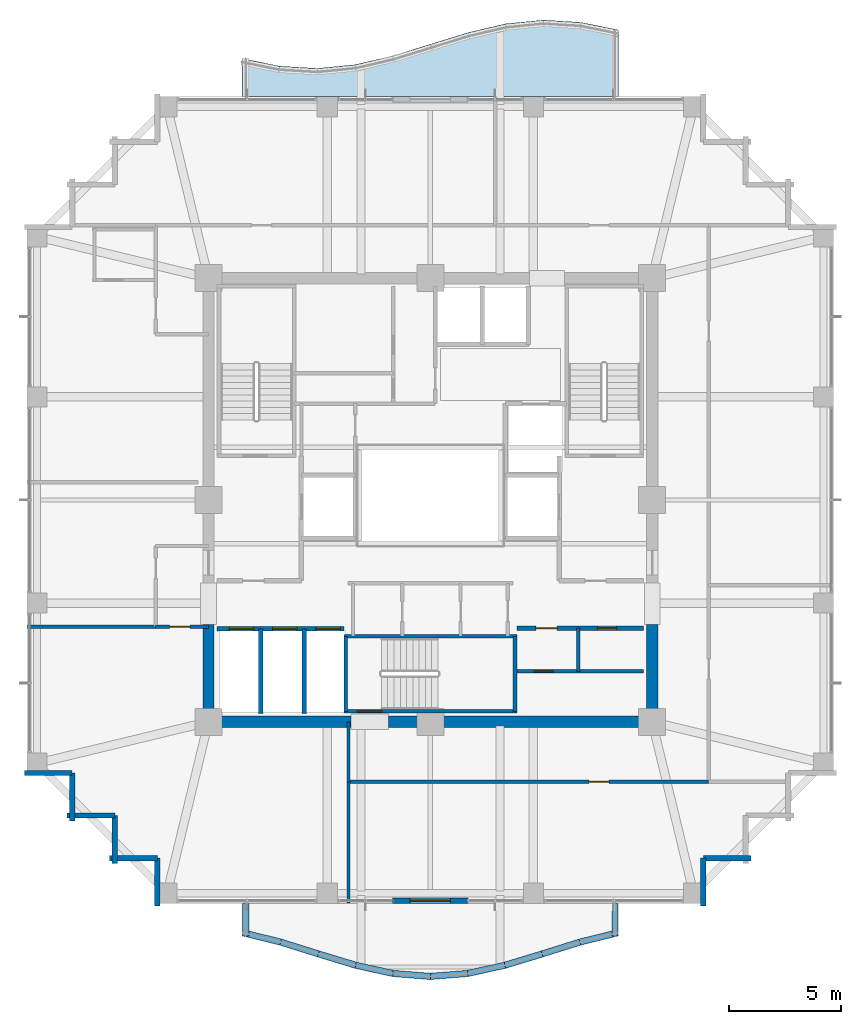
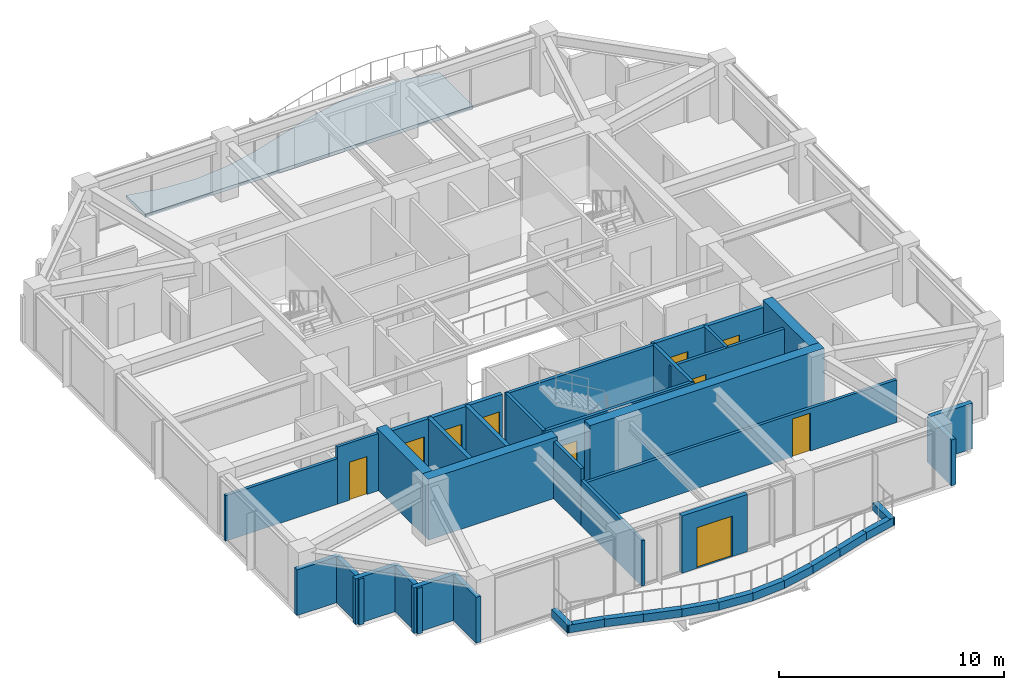
# One storey, part 26 of 31: 40 walls, 10 doors, 1 slab, 10 openings.
"""IFC4 building model written with IfcOpenShell, lengths in metres."""

from ifc_helpers import new_model, si_unit, direction, frame, frame_2d, origin, place, context, subcontext, project, spatial, polyline, rectangle, outline, extrude, material, layer, layer_set, type_object, element, fill, save


model = new_model("IFC4")

# Units and contexts
model_context = context("Model", 3, precision=1e-05, world=origin(), true_north=direction((0.0, 1.0)))
body_context = subcontext(model_context, "Body", "Model", "MODEL_VIEW")
ifc_project = project(units=[si_unit("LENGTHUNIT", "METRE"), si_unit("AREAUNIT", "SQUARE_METRE"), si_unit("VOLUMEUNIT", "CUBIC_METRE"), si_unit("PLANEANGLEUNIT", "RADIAN"), si_unit("MASSUNIT", "GRAM", prefix="KILO")], contexts=[model_context])

# Site, building, storey
site_placement = place(None, origin())
site = spatial("IfcSite", under=ifc_project, at=site_placement, CompositionType="ELEMENT")
building_placement = place(site_placement, origin())
building = spatial("IfcBuilding", under=site, at=building_placement, Name="Kolvaren Belvedere", CompositionType="ELEMENT")
storey_placement = place(building_placement, frame((0.0, 0.0, 138.199951171875)))
storey = spatial("IfcBuildingStorey", under=building, at=storey_placement, Name="L40", CompositionType="ELEMENT", Elevation=138.199951171875)

# Slab
ifc_material_1 = material(Name="Concrete C50/60", Category="concrete")
ifc_layer_1 = layer(ifc_material_1, 0.179931640625)
ifc_layer_set_1 = layer_set([ifc_layer_1], Name="Concrete C50/60")
slab_type = type_object("IfcSlabType", Name="SL-BAL-180", PredefinedType="FLOOR", material=ifc_layer_set_1)
slab_placement = place(storey_placement, frame((0.0, 0.0, -0.199951171875)))
element("IfcSlab", 1, at=slab_placement, inside=storey, type_object=slab_type, Name="L40 Planted Balcony BAL-N", PredefinedType="FLOOR", context=body_context, shape_type="SweptSolid", body=[
    extrude(outline(polyline([(-8.39990234375, 18.0), (-6.719970703125, 18.0), (-5.0400390625, 18.0), (-3.360107421875, 18.0), (-1.679931640625, 18.0), (0.0, 18.0), (1.679931640625, 18.0), (3.360107421875, 18.0), (5.0400390625, 18.0), (6.719970703125, 18.0), (8.39990234375, 18.0), (8.39990234375, 20.974853515625), (6.719970703125, 21.317138671875), (5.0400390625, 21.419921875), (3.360107421875, 21.251953125), (1.679931640625, 20.8603515625), (0.0, 20.340087890625), (-1.679931640625, 19.819580078125), (-3.360107421875, 19.427978515625), (-5.0400390625, 19.26220703125), (-6.719970703125, 19.36279296875), (-8.39990234375, 19.705078125), (-8.39990234375, 18.0)])), origin(), (0.0, 0.0, 1.0), 0.179931640625),
])

# Walls
ifc_material_2 = material(Name="Concrete C50/60", Category="concrete")
ifc_layer_2 = layer(ifc_material_2, 0.5)
ifc_layer_set_2 = layer_set([ifc_layer_2], Name="Concrete C50/60")
wall_type_1 = type_object("IfcWallType", Name="CW-CORE-500", PredefinedType="SHEAR", material=ifc_layer_set_2)
wall_1_placement = place(storey_placement, frame((10.14990234375, -9.89990234375, 0.0), z_axis=(0.0, 0.0, 1.0), x_axis=(-1.0, 0.0, 0.0)))
element("IfcWall", 2, at=wall_1_placement, inside=storey, type_object=wall_type_1, Name="L40 South Core Shear Wall 1", PredefinedType="SHEAR", context=body_context, shape_type="SweptSolid", body=[
    extrude(rectangle(XDim=12.010009765625, YDim=0.5, at=frame_2d((6.0048828125, 0.0))), origin(), (0.0, 0.0, 1.0), 3.300048828125),
])
wall_2_placement = place(storey_placement, frame((-3.5400390625, -9.89990234375, 0.0), z_axis=(0.0, 0.0, 1.0), x_axis=(-1.0, 0.0, 0.0)))
element("IfcWall", 3, at=wall_2_placement, inside=storey, type_object=wall_type_1, Name="L40 South Core Shear Wall 2", PredefinedType="SHEAR", context=body_context, shape_type="SweptSolid", body=[
    extrude(rectangle(XDim=6.60986328125, YDim=0.5, at=frame_2d((3.304931640625, 0.0))), origin(), (0.0, 0.0, 1.0), 3.300048828125),
])
for number, where, z_axis, x_axis, name in (
    (4, (-9.89990234375, -9.64990234375, 0.0), (0.0, 0.0, 1.0), (0.0, 1.0, 0.0), "L40 West Core Shear Wall 1"),
    (5, (9.89990234375, -9.64990234375, 0.0), (0.0, 0.0, 1.0), (0.0, 1.0, 0.0), "L40 East Core Shear Wall 1"),
):
    element("IfcWall", number, at=place(storey_placement, frame(where, z_axis=z_axis, x_axis=x_axis)), inside=storey, type_object=wall_type_1, Name=name, PredefinedType="SHEAR", context=body_context, shape_type="SweptSolid", body=[
        extrude(rectangle(XDim=4.099853515625, YDim=0.5, at=frame_2d((2.0498046875, 0.0))), origin(), (0.0, 0.0, 1.0), 3.300048828125),
    ])

# Wall, opening, door
ifc_material_3 = material(Name="Concrete C50/60", Category="concrete")
ifc_layer_3 = layer(ifc_material_3, 0.159912109375)
ifc_layer_set_3 = layer_set([ifc_layer_3], Name="Concrete C50/60")
wall_type_2 = type_object("IfcWallType", Name="CW-STAIR-160", PredefinedType="SHEAR", material=ifc_layer_set_3)
wall_3_placement = place(storey_placement, frame((3.860107421875, -9.429931640625, 0.0), z_axis=(0.0, 0.0, 1.0), x_axis=(-1.0, 0.0, 0.0)))
wall_3 = element("IfcWall", 6, at=wall_3_placement, inside=storey, type_object=wall_type_2, Name="L40 Stair ST-3 South Shear Wall", PredefinedType="SHEAR", context=body_context, shape_type="SweptSolid", body=[
    extrude(rectangle(XDim=7.72021484375, YDim=0.159912109375, at=frame_2d((3.860107421875, 0.0))), origin(), (0.0, 0.0, 1.0), 3.300048828125),
])
opening_1_placement = place(wall_3_placement, frame((6.010009765625, 0.0, 0.0)))
opening_1 = element("IfcOpeningElement", 7, at=opening_1_placement, cuts=wall_3, Name="Opening D-FD90", PredefinedType="OPENING", context=body_context, shape_type="SweptSolid", body=[
    extrude(rectangle(XDim=1.10009765625, YDim=2.199951171875, at=frame_2d((0.550048828125, 1.10009765625))), frame((0.0, 0.08984375, 0.0), z_axis=(0.0, -1.0, 0.0), x_axis=(1.0, 0.0, 0.0)), (0.0, 0.0, 1.0), 0.179931640625),
])
ifc_material_4 = material(Name="Painted hollow stainless steel", Category="steel")
door_type_1 = type_object("IfcDoorType", Name="DR-FD90-1100", OperationType="NOTDEFINED", PredefinedType="DOOR", material=ifc_material_4)
door_1_placement = place(opening_1_placement, origin())
door_1 = element("IfcDoor", 8, at=door_1_placement, inside=storey, type_object=door_type_1, Name="L40 Stair ST-3 Exit Door", OperationType="SINGLE_SWING_RIGHT", OverallHeight=2.199951171875, OverallWidth=1.10009765625, PredefinedType="DOOR", context=body_context, shape_type="SweptSolid", body=[
    extrude(rectangle(XDim=1.10009765625, YDim=2.199951171875, at=frame_2d((0.550048828125, 1.10009765625))), frame((0.0, 0.02490234375, 0.0), z_axis=(0.0, -1.0, 0.0), x_axis=(1.0, 0.0, 0.0)), (0.0, 0.0, 1.0), 0.050048828125),
])
fill(opening_1, door_1)

# Walls
wall_4_placement = place(storey_placement, frame((-3.860107421875, -6.080078125, 0.0), z_axis=(0.0, 0.0, 1.0), x_axis=(1.0, 0.0, 0.0)))
element("IfcWall", 9, at=wall_4_placement, inside=storey, type_object=wall_type_2, Name="L40 Stair ST-3 North Shear Wall", PredefinedType="SHEAR", context=body_context, shape_type="SweptSolid", body=[
    extrude(rectangle(XDim=7.72021484375, YDim=0.159912109375, at=frame_2d((3.860107421875, 0.0))), origin(), (0.0, 0.0, 1.0), 3.300048828125),
])
for number, where, z_axis, x_axis, name in (
    (10, (-3.780029296875, -9.429931640625, 0.0), (0.0, 0.0, 1.0), (0.0, 1.0, 0.0), "L40 Stair ST-3 West Shear Wall"),
    (11, (3.780029296875, -9.429931640625, 0.0), (0.0, 0.0, 1.0), (0.0, 1.0, 0.0), "L40 Stair ST-3 East Shear Wall"),
):
    element("IfcWall", number, at=place(storey_placement, frame(where, z_axis=z_axis, x_axis=x_axis)), inside=storey, type_object=wall_type_2, Name=name, PredefinedType="SHEAR", context=body_context, shape_type="SweptSolid", body=[
        extrude(rectangle(XDim=3.349853515625, YDim=0.159912109375, at=frame_2d((1.6748046875, 0.0))), origin(), (0.0, 0.0, 1.0), 3.300048828125),
    ])

# Wall, opening, door
ifc_material_5 = material(Name="Gypsum fire-rated partition assembly", Category="gypsum")
ifc_layer_4 = layer(ifc_material_5, 0.14990234375)
ifc_layer_set_4 = layer_set([ifc_layer_4], Name="Gypsum fire-rated partition assembly")
wall_type_3 = type_object("IfcWallType", Name="WL-CORR-150", PredefinedType="PARTITIONING", material=ifc_layer_set_4)
wall_5_placement = place(storey_placement, frame((-3.64990234375, -12.580078125, 0.0), z_axis=(0.0, 0.0, 1.0), x_axis=(1.0, 0.0, 0.0)))
wall_5 = element("IfcWall", 12, at=wall_5_placement, inside=storey, type_object=wall_type_3, Name="L40 South-East Corridor Wall", PredefinedType="PARTITIONING", context=body_context, shape_type="SweptSolid", body=[
    extrude(rectangle(XDim=16.06982421875, YDim=0.14990234375, at=frame_2d((8.034912109375, 0.0))), origin(), (0.0, 0.0, 1.0), 2.31201171875),
])
opening_2_placement = place(wall_5_placement, frame((10.735107421875, 0.0, 0.0)))
opening_2 = element("IfcOpeningElement", 13, at=opening_2_placement, cuts=wall_5, Name="Opening D-INT90", PredefinedType="OPENING", context=body_context, shape_type="SweptSolid", body=[
    extrude(rectangle(XDim=0.89990234375, YDim=2.06005859375, at=frame_2d((0.449951171875, 1.030029296875))), frame((0.0, 0.0849609375, 0.0), z_axis=(0.0, -1.0, 0.0), x_axis=(1.0, 0.0, 0.0)), (0.0, 0.0, 1.0), 0.169921875),
])
ifc_material_6 = material(Name="Stained Pacific white oak", Category="timber")
door_type_2 = type_object("IfcDoorType", Name="DR-INT-900", OperationType="NOTDEFINED", PredefinedType="DOOR", material=ifc_material_6)
door_2_placement = place(opening_2_placement, origin())
door_2 = element("IfcDoor", 14, at=door_2_placement, inside=storey, type_object=door_type_2, Name="L40 Lounge 4008 Door", OperationType="SINGLE_SWING_LEFT", OverallHeight=2.06005859375, OverallWidth=0.89990234375, PredefinedType="DOOR", context=body_context, shape_type="SweptSolid", body=[
    extrude(rectangle(XDim=0.89990234375, YDim=2.06005859375, at=frame_2d((0.449951171875, 1.030029296875))), frame((0.0, 0.02490234375, 0.0), z_axis=(0.0, -1.0, 0.0), x_axis=(1.0, 0.0, 0.0)), (0.0, 0.0, 1.0), 0.050048828125),
])
fill(opening_2, door_2)

# Wall
wall_6_placement = place(storey_placement, frame((-3.64990234375, -12.580078125, 0.0), z_axis=(0.0, 0.0, 1.0), x_axis=(0.0, 1.0, 0.0)))
element("IfcWall", 15, at=wall_6_placement, inside=storey, type_object=wall_type_3, Name="L40 South Spur West Closure Wall", PredefinedType="PARTITIONING", context=body_context, shape_type="SweptSolid", body=[
    extrude(rectangle(XDim=2.68017578125, YDim=0.14990234375, at=frame_2d((1.340087890625, 0.0))), origin(), (0.0, 0.0, 1.0), 3.10009765625),
])

# Wall, opening, door
wall_7_placement = place(storey_placement, frame((-12.260009765625, -5.64990234375, 0.0), z_axis=(0.0, 0.0, 1.0), x_axis=(1.0, 0.0, 0.0)))
wall_7 = element("IfcWall", 16, at=wall_7_placement, inside=storey, type_object=wall_type_3, Name="L40 West Pocket South Closure Wall", PredefinedType="PARTITIONING", context=body_context, shape_type="SweptSolid", body=[
    extrude(rectangle(XDim=2.360107421875, YDim=0.14990234375, at=frame_2d((1.18017578125, 0.0))), origin(), (0.0, 0.0, 1.0), 3.10009765625),
])
opening_3_placement = place(wall_7_placement, frame((0.631591796875, 0.0, 0.0)))
opening_3 = element("IfcOpeningElement", 17, at=opening_3_placement, cuts=wall_7, Name="Opening D-INT90", PredefinedType="OPENING", context=body_context, shape_type="SweptSolid", body=[
    extrude(rectangle(XDim=0.89990234375, YDim=2.06005859375, at=frame_2d((0.449951171875, 1.030029296875))), frame((0.0, 0.0849609375, 0.0), z_axis=(0.0, -1.0, 0.0), x_axis=(1.0, 0.0, 0.0)), (0.0, 0.0, 1.0), 0.169921875),
])
door_3_placement = place(opening_3_placement, origin())
door_3 = element("IfcDoor", 18, at=door_3_placement, inside=storey, type_object=door_type_2, Name="L40 Lounge 4007 Door", OperationType="SINGLE_SWING_RIGHT", OverallHeight=2.06005859375, OverallWidth=0.89990234375, PredefinedType="DOOR", context=body_context, shape_type="SweptSolid", body=[
    extrude(rectangle(XDim=0.89990234375, YDim=2.06005859375, at=frame_2d((0.449951171875, 1.030029296875))), frame((0.0, 0.02490234375, 0.0), z_axis=(0.0, -1.0, 0.0), x_axis=(1.0, 0.0, 0.0)), (0.0, 0.0, 1.0), 0.050048828125),
])
fill(opening_3, door_3)

ifc_material_7 = material(Name="Insulated pale-metal facade wall assembly", Category="aluminium")
ifc_layer_5 = layer(ifc_material_7, 0.239990234375)
ifc_layer_set_5 = layer_set([ifc_layer_5], Name="Insulated pale-metal facade wall assembly")
wall_type_4 = type_object("IfcWallType", Name="WL-EXT-240", PredefinedType="STANDARD", material=ifc_layer_set_5)
wall_8_placement = place(storey_placement, frame((1.679931640625, -17.8798828125, 0.0), z_axis=(0.0, 0.0, 1.0), x_axis=(-1.0, 0.0, 0.0)))
wall_8 = element("IfcWall", 19, at=wall_8_placement, inside=storey, type_object=wall_type_4, Name="L40 South Terrace Portal Wall", PredefinedType="STANDARD", context=body_context, shape_type="SweptSolid", body=[
    extrude(rectangle(XDim=3.35986328125, YDim=0.239990234375, at=frame_2d((1.679931640625, 0.0))), origin(), (0.0, 0.0, 1.0), 3.10009765625),
])
opening_4_placement = place(wall_8_placement, frame((0.780029296875, 0.0, 0.0)))
opening_4 = element("IfcOpeningElement", 20, at=opening_4_placement, cuts=wall_8, Name="Opening DB-1800", PredefinedType="OPENING", context=body_context, shape_type="SweptSolid", body=[
    extrude(rectangle(XDim=1.800048828125, YDim=2.199951171875, at=frame_2d((0.89990234375, 1.10009765625))), frame((0.0, 0.1298828125, 0.0), z_axis=(0.0, -1.0, 0.0), x_axis=(1.0, 0.0, 0.0)), (0.0, 0.0, 1.0), 0.260009765625),
])
ifc_material_8 = material(Name="Thermally broken pale-metal aluminium & low-iron glass", Category="aluminium")
door_type_3 = type_object("IfcDoorType", Name="DR-BAL-1800", OperationType="DOUBLE_DOOR_SLIDING", PredefinedType="DOOR", material=ifc_material_8)
door_4_placement = place(opening_4_placement, origin())
door_4 = element("IfcDoor", 21, at=door_4_placement, inside=storey, type_object=door_type_3, Name="L40 South Planted Terrace Sliding Door", OperationType="DOUBLE_DOOR_SLIDING", OverallHeight=2.199951171875, OverallWidth=1.800048828125, PredefinedType="DOOR", context=body_context, shape_type="SweptSolid", body=[
    extrude(rectangle(XDim=1.800048828125, YDim=2.199951171875, at=frame_2d((0.89990234375, 1.10009765625))), frame((0.0, 0.02490234375, 0.0), z_axis=(0.0, -1.0, 0.0), x_axis=(1.0, 0.0, 0.0)), (0.0, 0.0, 1.0), 0.050048828125),
])
fill(opening_4, door_4)

# Walls
for number, where, z_axis, x_axis, name in (
    (22, (12.179931640625, -15.97998046875, 0.0), (0.0, 0.0, 1.0), (0.0, -1.0, 0.0), "L40 Serrated Corner Facade Wall 2"),
    (23, (14.320068359375, -15.97998046875, 0.0), (0.0, 0.0, 1.0), (-1.0, 0.0, 0.0), "L40 Serrated Corner Facade Wall 3"),
    (24, (-15.97998046875, -12.179931640625, 0.0), (0.0, 0.0, 1.0), (-1.0, 0.0, 0.0), "L40 Serrated Corner Facade Wall 23"),
    (25, (-15.97998046875, -14.320068359375, 0.0), (0.0, 0.0, 1.0), (0.0, 1.0, 0.0), "L40 Serrated Corner Facade Wall 24"),
):
    element("IfcWall", number, at=place(storey_placement, frame(where, z_axis=z_axis, x_axis=x_axis)), inside=storey, type_object=wall_type_4, Name=name, PredefinedType="STANDARD", context=body_context, shape_type="SweptSolid", body=[
        extrude(rectangle(XDim=2.14013671875, YDim=0.239990234375, at=frame_2d((1.070068359375, 0.0))), origin(), (0.0, 0.0, 1.0), 2.47900390625),
    ])
for number, where, z_axis, x_axis, name in (
    (26, (-14.080078125, -14.080078125, 0.0), (0.0, 0.0, 1.0), (-1.0, 0.0, 0.0), "L40 Serrated Corner Facade Wall 25"),
    (27, (-14.080078125, -16.219970703125, 0.0), (0.0, 0.0, 1.0), (0.0, 1.0, 0.0), "L40 Serrated Corner Facade Wall 26"),
):
    element("IfcWall", number, at=place(storey_placement, frame(where, z_axis=z_axis, x_axis=x_axis)), inside=storey, type_object=wall_type_4, Name=name, PredefinedType="STANDARD", context=body_context, shape_type="SweptSolid", body=[
        extrude(rectangle(XDim=2.139892578125, YDim=0.239990234375, at=frame_2d((1.06982421875, 0.0))), origin(), (0.0, 0.0, 1.0), 2.47900390625),
    ])
for number, where, z_axis, x_axis, name in (
    (28, (-12.179931640625, -15.97998046875, 0.0), (0.0, 0.0, 1.0), (-1.0, 0.0, 0.0), "L40 Serrated Corner Facade Wall 27"),
    (29, (-12.179931640625, -18.1201171875, 0.0), (0.0, 0.0, 1.0), (0.0, 1.0, 0.0), "L40 Serrated Corner Facade Wall 28"),
):
    element("IfcWall", number, at=place(storey_placement, frame(where, z_axis=z_axis, x_axis=x_axis)), inside=storey, type_object=wall_type_4, Name=name, PredefinedType="STANDARD", context=body_context, shape_type="SweptSolid", body=[
        extrude(rectangle(XDim=2.14013671875, YDim=0.239990234375, at=frame_2d((1.070068359375, 0.0))), origin(), (0.0, 0.0, 1.0), 2.47900390625),
    ])

# Wall, opening, door
ifc_material_9 = material(Name="Gypsum acoustic partition assembly", Category="gypsum")
ifc_layer_6 = layer(ifc_material_9, 0.14990234375)
ifc_layer_set_6 = layer_set([ifc_layer_6], Name="Gypsum acoustic partition assembly")
wall_type_5 = type_object("IfcWallType", Name="WL-PART-150", PredefinedType="PARTITIONING", material=ifc_layer_set_6)
wall_9_placement = place(storey_placement, frame((3.679931640625, -7.64990234375, 0.0), z_axis=(0.0, 0.0, 1.0), x_axis=(1.0, 0.0, 0.0)))
wall_9 = element("IfcWall", 30, at=wall_9_placement, inside=storey, type_object=wall_type_5, Name="L40 SE Core H-Divider", PredefinedType="PARTITIONING", context=body_context, shape_type="SweptSolid", body=[
    extrude(rectangle(XDim=5.840087890625, YDim=0.14990234375, at=frame_2d((2.919921875, 0.0))), origin(), (0.0, 0.0, 1.0), 3.10009765625),
])
opening_5_placement = place(wall_9_placement, frame((0.949951171875, 0.0, 0.0)))
opening_5 = element("IfcOpeningElement", 31, at=opening_5_placement, cuts=wall_9, Name="Opening D-INT85", PredefinedType="OPENING", context=body_context, shape_type="SweptSolid", body=[
    extrude(rectangle(XDim=0.85009765625, YDim=2.030029296875, at=frame_2d((0.425048828125, 1.01513671875))), frame((0.0, 0.0849609375, 0.0), z_axis=(0.0, -1.0, 0.0), x_axis=(1.0, 0.0, 0.0)), (0.0, 0.0, 1.0), 0.169921875),
])
ifc_material_10 = material(Name="Stained Pacific white oak", Category="timber")
door_type_4 = type_object("IfcDoorType", Name="DR-INT-850", OperationType="NOTDEFINED", PredefinedType="DOOR", material=ifc_material_10)
door_5_placement = place(opening_5_placement, origin())
door_5 = element("IfcDoor", 32, at=door_5_placement, inside=storey, type_object=door_type_4, Name="L40 SE Fibre Door", OperationType="SINGLE_SWING_RIGHT", OverallHeight=2.030029296875, OverallWidth=0.85009765625, PredefinedType="DOOR", context=body_context, shape_type="SweptSolid", body=[
    extrude(rectangle(XDim=0.85009765625, YDim=2.030029296875, at=frame_2d((0.425048828125, 1.01513671875))), frame((0.0, 0.02490234375, 0.0), z_axis=(0.0, -1.0, 0.0), x_axis=(1.0, 0.0, 0.0)), (0.0, 0.0, 1.0), 0.050048828125),
])
fill(opening_5, door_5)

# Walls
wall_10_placement = place(storey_placement, frame((6.60009765625, -7.64990234375, 0.0), z_axis=(0.0, 0.0, 1.0), x_axis=(0.0, 1.0, 0.0)))
element("IfcWall", 33, at=wall_10_placement, inside=storey, type_object=wall_type_5, Name="L40 SE Core V-Divider", PredefinedType="PARTITIONING", context=body_context, shape_type="SweptSolid", body=[
    extrude(rectangle(XDim=1.929931640625, YDim=0.14990234375, at=frame_2d((0.96484375, 0.0))), origin(), (0.0, 0.0, 1.0), 3.10009765625),
])
wall_11_placement = place(storey_placement, frame((-17.97998046875, -5.64990234375, 0.0), z_axis=(0.0, 0.0, 1.0), x_axis=(1.0, 0.0, 0.0)))
element("IfcWall", 34, at=wall_11_placement, inside=storey, type_object=wall_type_5, Name="L40 West Mid Suite South Wall", PredefinedType="PARTITIONING", context=body_context, shape_type="SweptSolid", body=[
    extrude(rectangle(XDim=5.719970703125, YDim=0.14990234375, at=frame_2d((2.85986328125, 0.0))), origin(), (0.0, 0.0, 1.0), 2.468994140625),
])
wall_12_placement = place(storey_placement, frame((-3.64990234375, -17.97998046875, 0.0), z_axis=(0.0, 0.0, 1.0), x_axis=(0.0, 1.0, 0.0)))
element("IfcWall", 35, at=wall_12_placement, inside=storey, type_object=wall_type_5, Name="L40 South Mid-West Wall", PredefinedType="PARTITIONING", context=body_context, shape_type="SweptSolid", body=[
    extrude(rectangle(XDim=5.39990234375, YDim=0.14990234375, at=frame_2d((2.699951171875, 0.0))), origin(), (0.0, 0.0, 1.0), 2.468994140625),
])
ifc_material_11 = material(Name="Precast concrete C40/50", Category="concrete")
ifc_layer_7 = layer(ifc_material_11, 0.300048828125)
ifc_layer_set_7 = layer_set([ifc_layer_7], Name="Precast concrete C40/50")
wall_type_6 = type_object("IfcWallType", Name="WL-PLANTER-300", PredefinedType="PARAPET", material=ifc_layer_set_7)
wall_13_placement = place(storey_placement, frame((-8.36181640625, -19.310791015625, -0.02001953125), z_axis=(0.0, 0.0, 1.0), x_axis=(0.970950361768, -0.239280995867, 0.0)))
element("IfcWall", 36, at=wall_13_placement, inside=storey, type_object=wall_type_6, Name="L40 Precast Structural Planter Wall BAL-S-1", PredefinedType="PARAPET", context=body_context, shape_type="SweptSolid", body=[
    extrude(rectangle(XDim=1.73046875, YDim=0.280029296875, at=frame_2d((0.865234375, 0.0))), origin(), (0.0, 0.0, 1.0), 0.420166015625),
])
wall_14_placement = place(storey_placement, frame((-6.672119140625, -19.7275390625, -0.02001953125), z_axis=(0.0, 0.0, 1.0), x_axis=(0.954057149461, -0.299624691176, 0.0)))
element("IfcWall", 37, at=wall_14_placement, inside=storey, type_object=wall_type_6, Name="L40 Precast Structural Planter Wall BAL-S-2", PredefinedType="PARAPET", context=body_context, shape_type="SweptSolid", body=[
    extrude(rectangle(XDim=1.7607421875, YDim=0.280029296875, at=frame_2d((0.88037109375, 0.0))), origin(), (0.0, 0.0, 1.0), 0.420166015625),
])
wall_15_placement = place(storey_placement, frame((-4.993408203125, -20.254638671875, -0.02001953125), z_axis=(0.0, 0.0, 1.0), x_axis=(0.956721015747, -0.291006697567, 0.0)))
element("IfcWall", 38, at=wall_15_placement, inside=storey, type_object=wall_type_6, Name="L40 Precast Structural Planter Wall BAL-S-3", PredefinedType="PARAPET", context=body_context, shape_type="SweptSolid", body=[
    extrude(rectangle(XDim=1.755859375, YDim=0.280029296875, at=frame_2d((0.8779296875, 0.0))), origin(), (0.0, 0.0, 1.0), 0.420166015625),
])
wall_16_placement = place(storey_placement, frame((-3.32568359375, -20.762451171875, -0.02001953125), z_axis=(0.0, 0.0, 1.0), x_axis=(0.976876857632, -0.213802724545, 0.0)))
element("IfcWall", 39, at=wall_16_placement, inside=storey, type_object=wall_type_6, Name="L40 Precast Structural Planter Wall BAL-S-4", PredefinedType="PARAPET", context=body_context, shape_type="SweptSolid", body=[
    extrude(rectangle(XDim=1.7197265625, YDim=0.280029296875, at=frame_2d((0.85986328125, 0.0))), origin(), (0.0, 0.0, 1.0), 0.420166015625),
])
for number, where, z_axis, x_axis, name in (
    (40, (-1.667236328125, -21.126953125, -0.02001953125), (0.0, 0.0, 1.0), (0.99685522818, -0.079244268248, 0.0), "L40 Precast Structural Planter Wall BAL-S-5"),
    (41, (-0.0126953125, -21.260498046875, -0.02001953125), (0.0, 0.0, 1.0), (0.99685522818, 0.079244268248, 0.0), "L40 Precast Structural Planter Wall BAL-S-6"),
):
    element("IfcWall", number, at=place(storey_placement, frame(where, z_axis=z_axis, x_axis=x_axis)), inside=storey, type_object=wall_type_6, Name=name, PredefinedType="PARAPET", context=body_context, shape_type="SweptSolid", body=[
        extrude(rectangle(XDim=1.685302734375, YDim=0.280029296875, at=frame_2d((0.8427734375, 0.0))), origin(), (0.0, 0.0, 1.0), 0.420166015625),
    ])
wall_17_placement = place(storey_placement, frame((1.645751953125, -21.130126953125, -0.02001953125), z_axis=(0.0, 0.0, 1.0), x_axis=(0.976876857632, 0.213802724545, 0.0)))
element("IfcWall", 42, at=wall_17_placement, inside=storey, type_object=wall_type_6, Name="L40 Precast Structural Planter Wall BAL-S-7", PredefinedType="PARAPET", context=body_context, shape_type="SweptSolid", body=[
    extrude(rectangle(XDim=1.7197265625, YDim=0.280029296875, at=frame_2d((0.85986328125, 0.0))), origin(), (0.0, 0.0, 1.0), 0.420166015625),
])
wall_18_placement = place(storey_placement, frame((3.3134765625, -20.765625, -0.02001953125), z_axis=(0.0, 0.0, 1.0), x_axis=(0.956721015747, 0.291006697567, 0.0)))
element("IfcWall", 43, at=wall_18_placement, inside=storey, type_object=wall_type_6, Name="L40 Precast Structural Planter Wall BAL-S-8", PredefinedType="PARAPET", context=body_context, shape_type="SweptSolid", body=[
    extrude(rectangle(XDim=1.755859375, YDim=0.280029296875, at=frame_2d((0.8779296875, 0.0))), origin(), (0.0, 0.0, 1.0), 0.420166015625),
])
wall_19_placement = place(storey_placement, frame((4.9921875, -20.255126953125, -0.02001953125), z_axis=(0.0, 0.0, 1.0), x_axis=(0.954057149461, 0.299624691176, 0.0)))
element("IfcWall", 44, at=wall_19_placement, inside=storey, type_object=wall_type_6, Name="L40 Precast Structural Planter Wall BAL-S-9", PredefinedType="PARAPET", context=body_context, shape_type="SweptSolid", body=[
    extrude(rectangle(XDim=1.7607421875, YDim=0.280029296875, at=frame_2d((0.88037109375, 0.0))), origin(), (0.0, 0.0, 1.0), 0.420166015625),
])
wall_20_placement = place(storey_placement, frame((6.681640625, -19.724853515625, -0.02001953125), z_axis=(0.0, 0.0, 1.0), x_axis=(0.970950361768, 0.239280995867, 0.0)))
element("IfcWall", 45, at=wall_20_placement, inside=storey, type_object=wall_type_6, Name="L40 Precast Structural Planter Wall BAL-S-10", PredefinedType="PARAPET", context=body_context, shape_type="SweptSolid", body=[
    extrude(rectangle(XDim=1.73046875, YDim=0.280029296875, at=frame_2d((0.865234375, 0.0))), origin(), (0.0, 0.0, 1.0), 0.420166015625),
])
for number, where, z_axis, x_axis, name in (
    (46, (8.239990234375, -19.46630859375, -0.02001953125), (0.0, 0.0, 1.0), (0.0, 1.0, 0.0), "L40 Precast Structural Planter Wall BAL-S-11"),
    (47, (-8.239990234375, -18.0, -0.02001953125), (0.0, 0.0, 1.0), (0.0, -1.0, 0.0), "L40 Precast Structural Planter Wall BAL-S-22"),
):
    element("IfcWall", number, at=place(storey_placement, frame(where, z_axis=z_axis, x_axis=x_axis)), inside=storey, type_object=wall_type_6, Name=name, PredefinedType="PARAPET", context=body_context, shape_type="SweptSolid", body=[
        extrude(rectangle(XDim=1.46630859375, YDim=0.280029296875, at=frame_2d((0.733154296875, 0.0))), origin(), (0.0, 0.0, 1.0), 0.420166015625),
    ])

# Wall, openings, doors
ifc_material_12 = material(Name="Concrete C50/60", Category="concrete")
ifc_layer_8 = layer(ifc_material_12, 0.199951171875)
ifc_layer_set_8 = layer_set([ifc_layer_8], Name="Concrete C50/60")
wall_type_7 = type_object("IfcWallType", Name="WL-SHAFT-200", PredefinedType="SOLIDWALL", material=ifc_layer_set_8)
wall_21_placement = place(storey_placement, frame((-9.52001953125, -5.75, 0.0), z_axis=(0.0, 0.0, 1.0), x_axis=(1.0, 0.0, 0.0)))
wall_21 = element("IfcWall", 48, at=wall_21_placement, inside=storey, type_object=wall_type_7, Name="L40 Mid-Rise Lift Bank Front Wall", PredefinedType="SOLIDWALL", context=body_context, shape_type="SweptSolid", body=[
    extrude(rectangle(XDim=5.659912109375, YDim=0.199951171875, at=frame_2d((2.830078125, 0.0))), origin(), (0.0, 0.0, 1.0), 3.10009765625),
])
opening_6_placement = place(wall_21_placement, frame((0.550048828125, 0.0, 0.0)))
opening_6 = element("IfcOpeningElement", 49, at=opening_6_placement, cuts=wall_21, Name="Opening LD-11", PredefinedType="OPENING", context=body_context, shape_type="SweptSolid", body=[
    extrude(rectangle(XDim=1.10009765625, YDim=2.199951171875, at=frame_2d((0.550048828125, 1.10009765625))), frame((0.0, 0.10986328125, 0.0), z_axis=(0.0, -1.0, 0.0), x_axis=(1.0, 0.0, 0.0)), (0.0, 0.0, 1.0), 0.219970703125),
])
opening_7_placement = place(wall_21_placement, frame((2.47998046875, 0.0, 0.0)))
opening_7 = element("IfcOpeningElement", 50, at=opening_7_placement, cuts=wall_21, Name="Opening LD-11", PredefinedType="OPENING", context=body_context, shape_type="SweptSolid", body=[
    extrude(rectangle(XDim=1.10009765625, YDim=2.199951171875, at=frame_2d((0.550048828125, 1.10009765625))), frame((0.0, 0.10986328125, 0.0), z_axis=(0.0, -1.0, 0.0), x_axis=(1.0, 0.0, 0.0)), (0.0, 0.0, 1.0), 0.219970703125),
])
opening_8_placement = place(wall_21_placement, frame((4.409912109375, 0.0, 0.0)))
opening_8 = element("IfcOpeningElement", 51, at=opening_8_placement, cuts=wall_21, Name="Opening LD-11", PredefinedType="OPENING", context=body_context, shape_type="SweptSolid", body=[
    extrude(rectangle(XDim=1.10009765625, YDim=2.199951171875, at=frame_2d((0.550048828125, 1.10009765625))), frame((0.0, 0.10986328125, 0.0), z_axis=(0.0, -1.0, 0.0), x_axis=(1.0, 0.0, 0.0)), (0.0, 0.0, 1.0), 0.219970703125),
])
ifc_material_13 = material(Name="Brushed stainless steel", Category="steel")
door_type_5 = type_object("IfcDoorType", Name="DR-LIFT-1100", OperationType="DOUBLE_DOOR_SLIDING", PredefinedType="DOOR", material=ifc_material_13)
door_6_placement = place(opening_6_placement, origin())
door_6 = element("IfcDoor", 52, at=door_6_placement, inside=storey, type_object=door_type_5, Name="L40 Passenger Lift P4 Landing Door", OperationType="DOUBLE_DOOR_SLIDING", OverallHeight=2.199951171875, OverallWidth=1.10009765625, PredefinedType="DOOR", context=body_context, shape_type="SweptSolid", body=[
    extrude(rectangle(XDim=1.10009765625, YDim=2.199951171875, at=frame_2d((0.550048828125, 1.10009765625))), frame((0.0, 0.02490234375, 0.0), z_axis=(0.0, -1.0, 0.0), x_axis=(1.0, 0.0, 0.0)), (0.0, 0.0, 1.0), 0.050048828125),
])
fill(opening_6, door_6)
door_7_placement = place(opening_7_placement, origin())
door_7 = element("IfcDoor", 53, at=door_7_placement, inside=storey, type_object=door_type_5, Name="L40 Passenger Lift P5 Landing Door", OperationType="DOUBLE_DOOR_SLIDING", OverallHeight=2.199951171875, OverallWidth=1.10009765625, PredefinedType="DOOR", context=body_context, shape_type="SweptSolid", body=[
    extrude(rectangle(XDim=1.10009765625, YDim=2.199951171875, at=frame_2d((0.550048828125, 1.10009765625))), frame((0.0, 0.02490234375, 0.0), z_axis=(0.0, -1.0, 0.0), x_axis=(1.0, 0.0, 0.0)), (0.0, 0.0, 1.0), 0.050048828125),
])
fill(opening_7, door_7)
door_8_placement = place(opening_8_placement, origin())
door_8 = element("IfcDoor", 54, at=door_8_placement, inside=storey, type_object=door_type_5, Name="L40 Passenger Lift P6 Landing Door", OperationType="DOUBLE_DOOR_SLIDING", OverallHeight=2.199951171875, OverallWidth=1.10009765625, PredefinedType="DOOR", context=body_context, shape_type="SweptSolid", body=[
    extrude(rectangle(XDim=1.10009765625, YDim=2.199951171875, at=frame_2d((0.550048828125, 1.10009765625))), frame((0.0, 0.02490234375, 0.0), z_axis=(0.0, -1.0, 0.0), x_axis=(1.0, 0.0, 0.0)), (0.0, 0.0, 1.0), 0.050048828125),
])
fill(opening_8, door_8)

# Walls
for number, where, z_axis, x_axis, name in (
    (55, (-7.56005859375, -9.52001953125, 0.0), (0.0, 0.0, 1.0), (0.0, 1.0, 0.0), "L40 Mid-Rise Hoistway Divider 1"),
    (56, (-5.6298828125, -9.52001953125, 0.0), (0.0, 0.0, 1.0), (0.0, 1.0, 0.0), "L40 Mid-Rise Hoistway Divider 2"),
):
    element("IfcWall", number, at=place(storey_placement, frame(where, z_axis=z_axis, x_axis=x_axis)), inside=storey, type_object=wall_type_7, Name=name, PredefinedType="SOLIDWALL", context=body_context, shape_type="SweptSolid", body=[
        extrude(rectangle(XDim=3.77001953125, YDim=0.199951171875, at=frame_2d((1.885009765625, 0.0))), origin(), (0.0, 0.0, 1.0), 3.10009765625),
    ])

# Wall, openings, doors
wall_22_placement = place(storey_placement, frame((3.860107421875, -5.719970703125, 0.0), z_axis=(0.0, 0.0, 1.0), x_axis=(1.0, 0.0, 0.0)))
wall_22 = element("IfcWall", 57, at=wall_22_placement, inside=storey, type_object=wall_type_7, Name="L40 SE Core Distribution Wall", PredefinedType="SOLIDWALL", context=body_context, shape_type="SweptSolid", body=[
    extrude(rectangle(XDim=5.659912109375, YDim=0.199951171875, at=frame_2d((2.830078125, 0.0))), origin(), (0.0, 0.0, 1.0), 3.10009765625),
])
opening_9_placement = place(wall_22_placement, frame((0.85009765625, 0.0, 0.0)))
opening_9 = element("IfcOpeningElement", 58, at=opening_9_placement, cuts=wall_22, Name="Opening D-FD60", PredefinedType="OPENING", context=body_context, shape_type="SweptSolid", body=[
    extrude(rectangle(XDim=0.949951171875, YDim=2.06005859375, at=frame_2d((0.47509765625, 1.030029296875))), frame((0.0, 0.10986328125, 0.0), z_axis=(0.0, -1.0, 0.0), x_axis=(1.0, 0.0, 0.0)), (0.0, 0.0, 1.0), 0.219970703125),
])
opening_10_placement = place(wall_22_placement, frame((3.60009765625, 0.0, 0.0)))
opening_10 = element("IfcOpeningElement", 59, at=opening_10_placement, cuts=wall_22, Name="Opening D-INT85", PredefinedType="OPENING", context=body_context, shape_type="SweptSolid", body=[
    extrude(rectangle(XDim=0.85009765625, YDim=2.030029296875, at=frame_2d((0.425048828125, 1.01513671875))), frame((0.0, 0.10986328125, 0.0), z_axis=(0.0, -1.0, 0.0), x_axis=(1.0, 0.0, 0.0)), (0.0, 0.0, 1.0), 0.219970703125),
])
ifc_material_14 = material(Name="Acoustic white-oak fire door leaf", Category="timber")
door_type_6 = type_object("IfcDoorType", Name="DR-FD60-950", OperationType="NOTDEFINED", PredefinedType="DOOR", material=ifc_material_14)
door_9_placement = place(opening_9_placement, origin())
door_9 = element("IfcDoor", 60, at=door_9_placement, inside=storey, type_object=door_type_6, Name="L40 SE Pantry Door", OperationType="SINGLE_SWING_RIGHT", OverallHeight=2.06005859375, OverallWidth=0.949951171875, PredefinedType="DOOR", context=body_context, shape_type="SweptSolid", body=[
    extrude(rectangle(XDim=0.949951171875, YDim=2.06005859375, at=frame_2d((0.47509765625, 1.030029296875))), frame((0.0, 0.02490234375, 0.0), z_axis=(0.0, -1.0, 0.0), x_axis=(1.0, 0.0, 0.0)), (0.0, 0.0, 1.0), 0.050048828125),
])
fill(opening_9, door_9)
door_10_placement = place(opening_10_placement, origin())
door_10 = element("IfcDoor", 61, at=door_10_placement, inside=storey, type_object=door_type_4, Name="L40 SE Linen Door", OperationType="SINGLE_SWING_LEFT", OverallHeight=2.030029296875, OverallWidth=0.85009765625, PredefinedType="DOOR", context=body_context, shape_type="SweptSolid", body=[
    extrude(rectangle(XDim=0.85009765625, YDim=2.030029296875, at=frame_2d((0.425048828125, 1.01513671875))), frame((0.0, 0.02490234375, 0.0), z_axis=(0.0, -1.0, 0.0), x_axis=(1.0, 0.0, 0.0)), (0.0, 0.0, 1.0), 0.050048828125),
])
fill(opening_10, door_10)

save(model, "model.ifc")
